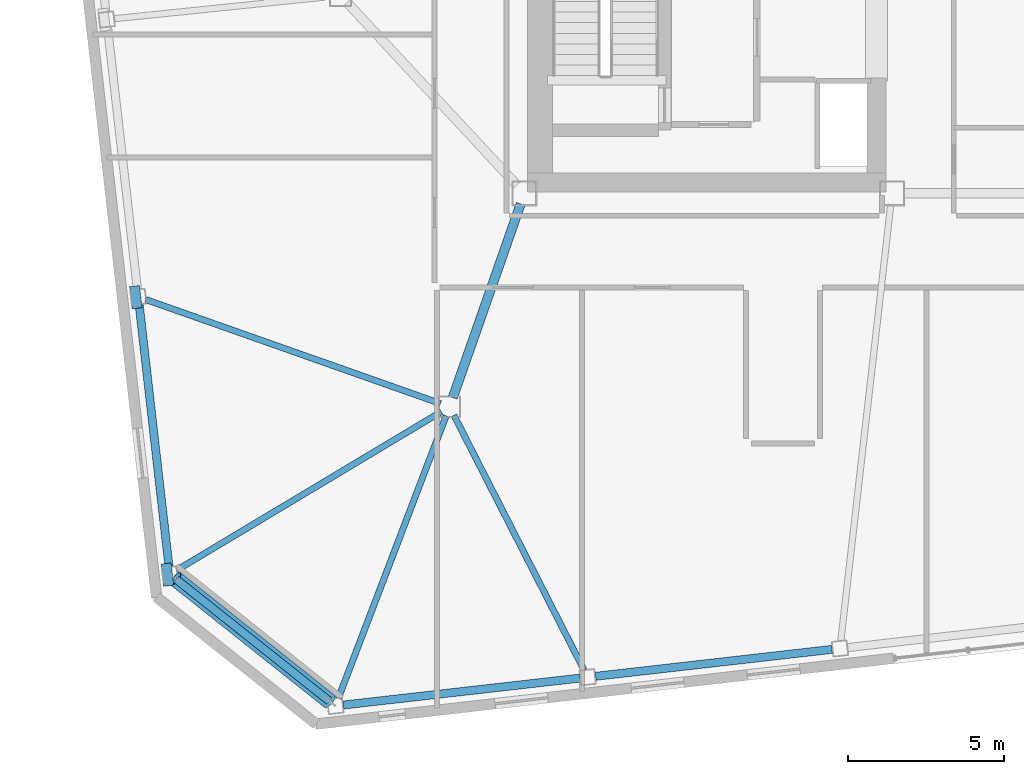
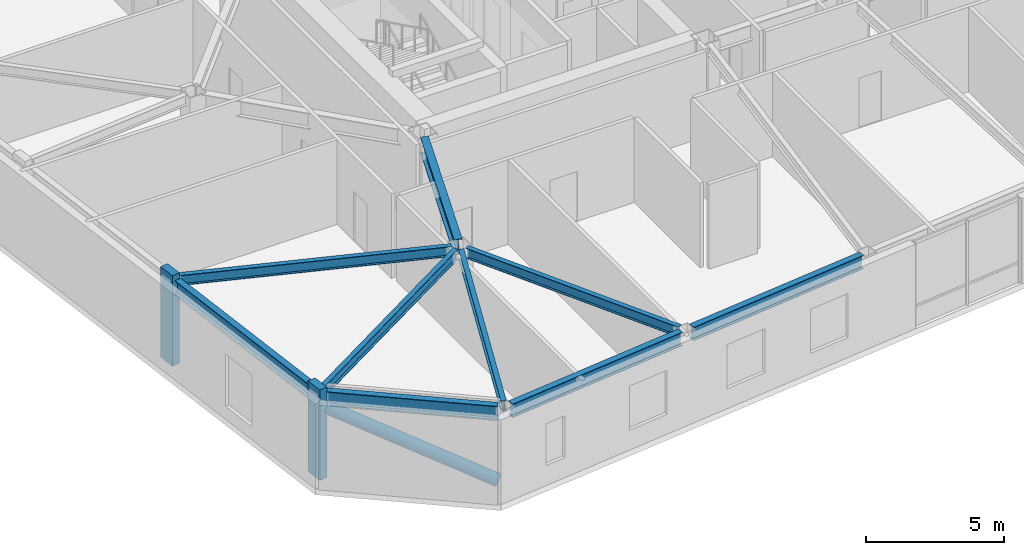
# One storey, part 5 of 19: 9 beams, 3 members.
"""IFC4 building model written with IfcOpenShell, lengths in metres."""

from ifc_helpers import new_model, si_unit, direction, frame, origin, origin_2d, place, context, subcontext, project, spatial, rectangle, hollow_circle, i_section, extrude, material, material_profile, profile_set, type_object, element, save


model = new_model("IFC4")

# Units and contexts
model_context = context("Model", 3, precision=1e-05, world=origin(), true_north=direction((0.0, 1.0)))
body_context = subcontext(model_context, "Body", "Model", "MODEL_VIEW")
ifc_project = project(units=[si_unit("LENGTHUNIT", "METRE"), si_unit("AREAUNIT", "SQUARE_METRE"), si_unit("VOLUMEUNIT", "CUBIC_METRE"), si_unit("PLANEANGLEUNIT", "RADIAN"), si_unit("MASSUNIT", "GRAM", prefix="KILO")], contexts=[model_context])

# Site, building, storey
site_placement = place(None, origin())
site = spatial("IfcSite", under=ifc_project, at=site_placement, CompositionType="ELEMENT")
building_placement = place(site_placement, origin())
building = spatial("IfcBuilding", under=site, at=building_placement, Name="Tavrogorsk Clinical Tower", CompositionType="ELEMENT")
storey_placement = place(building_placement, frame((0.0, 0.0, 243.0)))
storey = spatial("IfcBuildingStorey", under=building, at=storey_placement, Name="L56", CompositionType="ELEMENT", Elevation=243.0)

# Member
ifc_material_1 = material(Name="Structural steel S440", Category="steel")
ifc_material_profile_1 = material_profile(ifc_material_1, hollow_circle(Radius=0.25390625, WallThickness=0.02001953125, at=origin_2d()), Name="CHS-508x20")
ifc_profile_set_1 = profile_set([ifc_material_profile_1], Name="Structural steel S440")
member_type_1 = type_object("IfcMemberType", Name="ExoBrace_CHS508", PredefinedType="BRACE", material=ifc_profile_set_1)
member_placement = place(storey_placement, frame((-28.3515625, -22.654052734375, 0.398193359375), z_axis=(-0.723851679348, 0.575789482159, 0.380138420237), x_axis=(-0.622522488852, -0.782601910855, 0.0)))
element("IfcMember", 1, at=member_placement, inside=storey, type_object=member_type_1, Name="L56 Corner Exoskeleton Brace W5-S1", PredefinedType="BRACE", context=body_context, shape_type="SweptSolid", body=[
    extrude(hollow_circle(Radius=0.25390625, WallThickness=0.02001953125, at=origin_2d()), origin(), (0.0, 0.0, 1.0), 6.8232421875),
])

# Beams
ifc_material_2 = material(Name="Structural steel S355", Category="steel")
ifc_material_profile_2 = material_profile(ifc_material_2, i_section(OverallWidth=0.199951171875, OverallDepth=0.449951171875, WebThickness=0.011474609375, FlangeThickness=0.01806640625, at=origin_2d()), Name="B-450x200x11.5x18")
ifc_profile_set_2 = profile_set([ifc_material_profile_2], Name="Structural steel S355")
beam_type_1 = type_object("IfcBeamType", Name="FloorBeam_B450", PredefinedType="BEAM", material=ifc_profile_set_2)
beam_1_placement = place(storey_placement, frame((-24.610595703125, -13.489501953125, 3.514892578125), z_axis=(-0.356548354426, -0.93427687061, 0.0), x_axis=(0.93427687061, -0.356548354426, 0.0)))
element("IfcBeam", 2, at=beam_1_placement, inside=storey, type_object=beam_type_1, Name="L56 Radial Floor Beam S1", PredefinedType="BEAM", context=body_context, shape_type="SweptSolid", body=[
    extrude(i_section(OverallWidth=0.199951171875, OverallDepth=0.449951171875, WebThickness=0.011474609375, FlangeThickness=0.01806640625, at=origin_2d()), origin(), (0.0, 0.0, 1.0), 9.710205078125),
])
beam_2_placement = place(storey_placement, frame((-24.359130859375, -13.47607421875, 3.514892578125), z_axis=(0.454709818127, -0.890639647275, 0.0), x_axis=(0.890639647275, 0.454709818127, 0.0)))
element("IfcBeam", 3, at=beam_2_placement, inside=storey, type_object=beam_type_1, Name="L56 Radial Floor Beam S2", PredefinedType="BEAM", context=body_context, shape_type="SweptSolid", body=[
    extrude(i_section(OverallWidth=0.199951171875, OverallDepth=0.449951171875, WebThickness=0.011474609375, FlangeThickness=0.01806640625, at=origin_2d()), origin(), (0.0, 0.0, 1.0), 9.177978515625),
])
beam_3_placement = place(storey_placement, frame((-24.792236328125, -13.096923828125, 3.514892578125), z_axis=(-0.943014153926, 0.332752619067, 0.0), x_axis=(-0.332752619067, -0.943014153926, 0.0)))
element("IfcBeam", 4, at=beam_3_placement, inside=storey, type_object=beam_type_1, Name="L56 Radial Floor Beam W4", PredefinedType="BEAM", context=body_context, shape_type="SweptSolid", body=[
    extrude(i_section(OverallWidth=0.199951171875, OverallDepth=0.449951171875, WebThickness=0.011474609375, FlangeThickness=0.01806640625, at=origin_2d()), origin(), (0.0, 0.0, 1.0), 10.027587890625),
])
beam_4_placement = place(storey_placement, frame((-24.765869140625, -13.359375, 3.514892578125), z_axis=(-0.857906237315, -0.513806274754, 0.0), x_axis=(0.513806274754, -0.857906237315, 0.0)))
element("IfcBeam", 5, at=beam_4_placement, inside=storey, type_object=beam_type_1, Name="L56 Radial Floor Beam W5", PredefinedType="BEAM", context=body_context, shape_type="SweptSolid", body=[
    extrude(i_section(OverallWidth=0.199951171875, OverallDepth=0.449951171875, WebThickness=0.011474609375, FlangeThickness=0.01806640625, at=origin_2d()), origin(), (0.0, 0.0, 1.0), 9.896240234375),
])

# Members
ifc_material_3 = material(Name="Precast concrete B45 with limestone cladding", Category="masonry")
ifc_material_profile_3 = material_profile(ifc_material_3, rectangle(XDim=0.320068359375, YDim=0.719970703125, at=origin_2d()), Name="LIMESTONE-FIN-320x720")
ifc_profile_set_3 = profile_set([ifc_material_profile_3], Name="Precast concrete B45 with limestone cladding")
member_type_2 = type_object("IfcMemberType", Name="LimestonePleatFin_320x720", PredefinedType="USERDEFINED", material=ifc_profile_set_3)
for number, where, z_axis, x_axis, name in (
    (6, (-34.571044921875, -9.683349609375, 0.0), (0.0, 0.0, 1.0), (0.993571855677, 0.113203213768, 0.0), "L56 W Pleated Stone Fin 3"),
    (7, (-33.556640625, -18.585693359375, 0.0), (0.0, 0.0, 1.0), (0.993571855677, 0.113203213768, 0.0), "L56 W Pleated Stone Fin 4"),
):
    element("IfcMember", number, at=place(storey_placement, frame(where, z_axis=z_axis, x_axis=x_axis)), inside=storey, type_object=member_type_2, Name=name, ObjectType="FIN", PredefinedType="USERDEFINED", context=body_context, shape_type="SweptSolid", body=[
        extrude(rectangle(XDim=0.320068359375, YDim=0.719970703125, at=origin_2d()), origin(), (0.0, 0.0, 1.0), 4.0),
    ])

# Beams
ifc_material_4 = material(Name="Structural steel S390", Category="steel")
ifc_material_profile_4 = material_profile(ifc_material_4, i_section(OverallWidth=0.300048828125, OverallDepth=0.699951171875, WebThickness=0.01708984375, FlangeThickness=0.028076171875, at=origin_2d()), Name="B-700x300x17x28")
ifc_profile_set_4 = profile_set([ifc_material_profile_4], Name="Structural steel S390")
beam_type_2 = type_object("IfcBeamType", Name="PrimaryGirder_B700", PredefinedType="USERDEFINED", material=ifc_profile_set_4)
beam_5_placement = place(storey_placement, frame((-24.3974609375, -12.907470703125, 3.389892578125), z_axis=(0.330654121425, 0.943752007672, 0.0), x_axis=(-0.943752007672, 0.330654121425, 0.0)))
element("IfcBeam", 8, at=beam_5_placement, inside=storey, type_object=beam_type_2, Name="L56 Spine Link Girder OPG-1", ObjectType="GIRDER", PredefinedType="USERDEFINED", context=body_context, shape_type="SweptSolid", body=[
    extrude(i_section(OverallWidth=0.300048828125, OverallDepth=0.699951171875, WebThickness=0.01708984375, FlangeThickness=0.028076171875, at=origin_2d()), origin(), (0.0, 0.0, 1.0), 6.58837890625),
])
ifc_material_5 = material(Name="Structural steel S390", Category="steel")
ifc_material_profile_5 = material_profile(ifc_material_5, i_section(OverallWidth=0.260009765625, OverallDepth=0.60009765625, WebThickness=0.014892578125, FlangeThickness=0.02392578125, at=origin_2d()), Name="B-600x260x15x24")
ifc_profile_set_5 = profile_set([ifc_material_profile_5], Name="Structural steel S390")
beam_type_3 = type_object("IfcBeamType", Name="SpandrelBeam_B600", PredefinedType="SPANDREL", material=ifc_profile_set_5)
for number, where, z_axis, x_axis, name in (
    (9, (-27.908447265625, -22.773193359375, 3.43994140625), (0.993575697004, 0.113169493787, 0.0), (-0.113169493787, 0.993575697004, 0.0), "L56 Perimeter Spandrel S1-S2"),
    (10, (-19.812255859375, -21.850830078125, 3.43994140625), (0.993572099834, 0.113201070804, 0.0), (-0.113201070804, 0.993572099834, 0.0), "L56 Perimeter Spandrel S2-S3"),
):
    element("IfcBeam", number, at=place(storey_placement, frame(where, z_axis=z_axis, x_axis=x_axis)), inside=storey, type_object=beam_type_3, Name=name, PredefinedType="SPANDREL", context=body_context, shape_type="SweptSolid", body=[
        extrude(i_section(OverallWidth=0.260009765625, OverallDepth=0.60009765625, WebThickness=0.014892578125, FlangeThickness=0.02392578125, at=origin_2d()), origin(), (0.0, 0.0, 1.0), 7.632568359375),
    ])
beam_6_placement = place(storey_placement, frame((-34.46240234375, -9.9306640625, 3.43994140625), z_axis=(0.113223671813, -0.993569524563, 0.0), x_axis=(0.993569524563, 0.113223671813, 0.0)))
element("IfcBeam", 11, at=beam_6_placement, inside=storey, type_object=beam_type_3, Name="L56 Perimeter Spandrel W4-W5", PredefinedType="SPANDREL", context=body_context, shape_type="SweptSolid", body=[
    extrude(i_section(OverallWidth=0.260009765625, OverallDepth=0.60009765625, WebThickness=0.014892578125, FlangeThickness=0.02392578125, at=origin_2d()), origin(), (0.0, 0.0, 1.0), 8.44384765625),
])
beam_7_placement = place(storey_placement, frame((-33.275390625, -18.7373046875, 3.43994140625), z_axis=(0.782608811853, -0.622513813188, 0.0), x_axis=(0.622513813188, 0.782608811853, 0.0)))
element("IfcBeam", 12, at=beam_7_placement, inside=storey, type_object=beam_type_3, Name="L56 Perimeter Spandrel W5-S1", PredefinedType="SPANDREL", context=body_context, shape_type="SweptSolid", body=[
    extrude(i_section(OverallWidth=0.260009765625, OverallDepth=0.60009765625, WebThickness=0.014892578125, FlangeThickness=0.02392578125, at=origin_2d()), origin(), (0.0, 0.0, 1.0), 6.272216796875),
])

save(model, "model.ifc")
